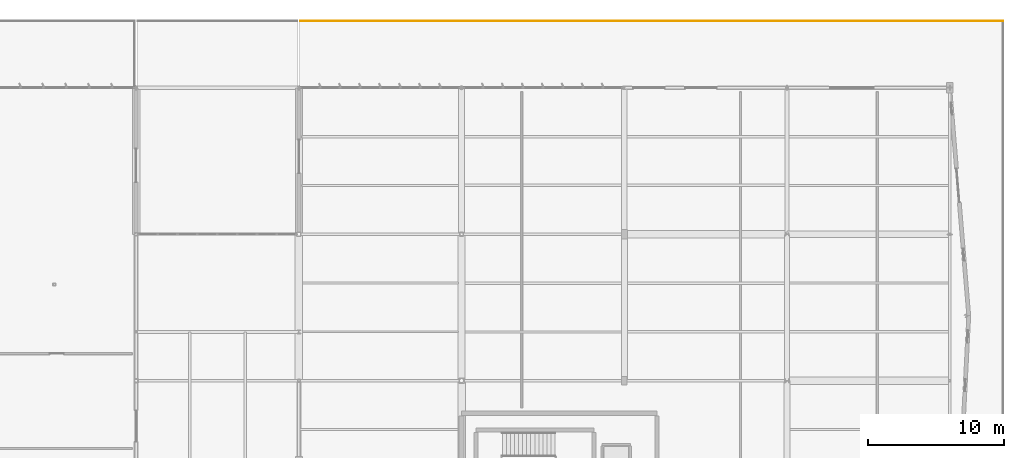
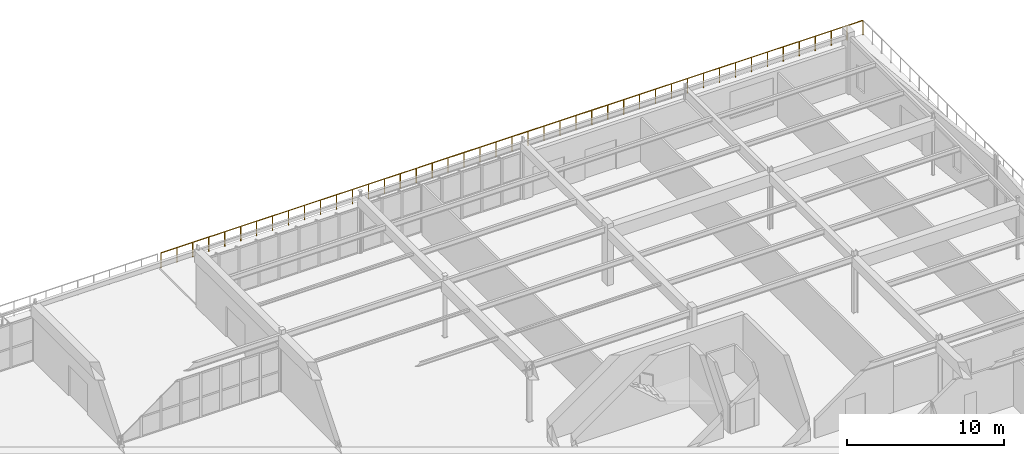
# One storey, part 198 of 199: 1 railing.
"""IFC4 building model written with IfcOpenShell, lengths in metres."""

from ifc_helpers import new_model, si_unit, direction, frame, origin, origin_2d, place, context, subcontext, project, spatial, circle, extrude, material, type_object, element, save


model = new_model("IFC4")

# Units and contexts
model_context = context("Model", 3, precision=1e-05, world=origin(), true_north=direction((0.0, 1.0)))
body_context = subcontext(model_context, "Body", "Model", "MODEL_VIEW")
ifc_project = project(units=[si_unit("LENGTHUNIT", "METRE"), si_unit("AREAUNIT", "SQUARE_METRE"), si_unit("VOLUMEUNIT", "CUBIC_METRE"), si_unit("PLANEANGLEUNIT", "RADIAN"), si_unit("MASSUNIT", "GRAM", prefix="KILO")], contexts=[model_context])

# Site, building, storey
site_placement = place(None, origin())
site = spatial("IfcSite", under=ifc_project, at=site_placement, CompositionType="ELEMENT")
building_placement = place(site_placement, origin())
building = spatial("IfcBuilding", under=site, at=building_placement, Name="Tarnwether General Hospital", CompositionType="ELEMENT")
storey_placement = place(building_placement, origin())
storey = spatial("IfcBuildingStorey", under=building, at=storey_placement, Name="L00", CompositionType="ELEMENT", Elevation=0.0)

# Railing
ifc_material = material(Name="Anodised aluminium", Category="aluminium")
railing_type = type_object("IfcRailingType", Name="RL-GRD-EXT", PredefinedType="GUARDRAIL", material=ifc_material)
railing_placement = place(storey_placement, frame((144.1298828125, 130.919921875, 0.0)))
element("IfcRailing", 1, at=railing_placement, inside=storey, type_object=railing_type, Name="L00 Upper Scarp Arrival Plaza and Street Terrace SL-L00-PLAZA Guard 0003", PredefinedType="GUARDRAIL", context=body_context, shape_type="SweptSolid", body=[
    extrude(circle(Radius=0.02392578125, at=origin_2d()), frame((0.0, 0.0, 1.1259765625), z_axis=(1.0, 0.0, 0.0), x_axis=(0.0, 1.0, 0.0)), (0.0, 0.0, 1.0), 51.7900390625),
    extrude(circle(Radius=0.02099609375, at=origin_2d()), origin(), (0.0, 0.0, 1.0), 1.101806640625),
    extrude(circle(Radius=0.02099609375, at=origin_2d()), frame((1.177001953125, 0.0, 0.0)), (0.0, 0.0, 1.0), 1.101806640625),
    extrude(circle(Radius=0.02099609375, at=origin_2d()), frame((2.35400390625, 0.0, 0.0)), (0.0, 0.0, 1.0), 1.101806640625),
    extrude(circle(Radius=0.02099609375, at=origin_2d()), frame((3.53125, 0.0, 0.0)), (0.0, 0.0, 1.0), 1.101806640625),
    extrude(circle(Radius=0.02099609375, at=origin_2d()), frame((4.708251953125, 0.0, 0.0)), (0.0, 0.0, 1.0), 1.101806640625),
    extrude(circle(Radius=0.02099609375, at=origin_2d()), frame((5.88525390625, 0.0, 0.0)), (0.0, 0.0, 1.0), 1.101806640625),
    extrude(circle(Radius=0.02099609375, at=origin_2d()), frame((7.062255859375, 0.0, 0.0)), (0.0, 0.0, 1.0), 1.101806640625),
    extrude(circle(Radius=0.02099609375, at=origin_2d()), frame((8.2392578125, 0.0, 0.0)), (0.0, 0.0, 1.0), 1.101806640625),
    extrude(circle(Radius=0.02099609375, at=origin_2d()), frame((9.416259765625, 0.0, 0.0)), (0.0, 0.0, 1.0), 1.101806640625),
    extrude(circle(Radius=0.02099609375, at=origin_2d()), frame((10.593505859375, 0.0, 0.0)), (0.0, 0.0, 1.0), 1.101806640625),
    extrude(circle(Radius=0.02099609375, at=origin_2d()), frame((11.7705078125, 0.0, 0.0)), (0.0, 0.0, 1.0), 1.101806640625),
    extrude(circle(Radius=0.02099609375, at=origin_2d()), frame((12.947509765625, 0.0, 0.0)), (0.0, 0.0, 1.0), 1.101806640625),
    extrude(circle(Radius=0.02099609375, at=origin_2d()), frame((14.12451171875, 0.0, 0.0)), (0.0, 0.0, 1.0), 1.101806640625),
    extrude(circle(Radius=0.02099609375, at=origin_2d()), frame((15.301513671875, 0.0, 0.0)), (0.0, 0.0, 1.0), 1.101806640625),
    extrude(circle(Radius=0.02099609375, at=origin_2d()), frame((16.478759765625, 0.0, 0.0)), (0.0, 0.0, 1.0), 1.101806640625),
    extrude(circle(Radius=0.02099609375, at=origin_2d()), frame((17.65576171875, 0.0, 0.0)), (0.0, 0.0, 1.0), 1.101806640625),
    extrude(circle(Radius=0.02099609375, at=origin_2d()), frame((18.832763671875, 0.0, 0.0)), (0.0, 0.0, 1.0), 1.101806640625),
    extrude(circle(Radius=0.02099609375, at=origin_2d()), frame((20.009765625, 0.0, 0.0)), (0.0, 0.0, 1.0), 1.101806640625),
    extrude(circle(Radius=0.02099609375, at=origin_2d()), frame((21.186767578125, 0.0, 0.0)), (0.0, 0.0, 1.0), 1.101806640625),
    extrude(circle(Radius=0.02099609375, at=origin_2d()), frame((22.36376953125, 0.0, 0.0)), (0.0, 0.0, 1.0), 1.101806640625),
    extrude(circle(Radius=0.02099609375, at=origin_2d()), frame((23.541015625, 0.0, 0.0)), (0.0, 0.0, 1.0), 1.101806640625),
    extrude(circle(Radius=0.02099609375, at=origin_2d()), frame((24.718017578125, 0.0, 0.0)), (0.0, 0.0, 1.0), 1.101806640625),
    extrude(circle(Radius=0.02099609375, at=origin_2d()), frame((25.89501953125, 0.0, 0.0)), (0.0, 0.0, 1.0), 1.101806640625),
    extrude(circle(Radius=0.02099609375, at=origin_2d()), frame((27.072021484375, 0.0, 0.0)), (0.0, 0.0, 1.0), 1.101806640625),
    extrude(circle(Radius=0.02099609375, at=origin_2d()), frame((28.2490234375, 0.0, 0.0)), (0.0, 0.0, 1.0), 1.101806640625),
    extrude(circle(Radius=0.02099609375, at=origin_2d()), frame((29.42626953125, 0.0, 0.0)), (0.0, 0.0, 1.0), 1.101806640625),
    extrude(circle(Radius=0.02099609375, at=origin_2d()), frame((30.603271484375, 0.0, 0.0)), (0.0, 0.0, 1.0), 1.101806640625),
    extrude(circle(Radius=0.02099609375, at=origin_2d()), frame((31.7802734375, 0.0, 0.0)), (0.0, 0.0, 1.0), 1.101806640625),
    extrude(circle(Radius=0.02099609375, at=origin_2d()), frame((32.957275390625, 0.0, 0.0)), (0.0, 0.0, 1.0), 1.101806640625),
    extrude(circle(Radius=0.02099609375, at=origin_2d()), frame((34.13427734375, 0.0, 0.0)), (0.0, 0.0, 1.0), 1.101806640625),
    extrude(circle(Radius=0.02099609375, at=origin_2d()), frame((35.311279296875, 0.0, 0.0)), (0.0, 0.0, 1.0), 1.101806640625),
    extrude(circle(Radius=0.02099609375, at=origin_2d()), frame((36.488525390625, 0.0, 0.0)), (0.0, 0.0, 1.0), 1.101806640625),
    extrude(circle(Radius=0.02099609375, at=origin_2d()), frame((37.66552734375, 0.0, 0.0)), (0.0, 0.0, 1.0), 1.101806640625),
    extrude(circle(Radius=0.02099609375, at=origin_2d()), frame((38.842529296875, 0.0, 0.0)), (0.0, 0.0, 1.0), 1.101806640625),
    extrude(circle(Radius=0.02099609375, at=origin_2d()), frame((40.01953125, 0.0, 0.0)), (0.0, 0.0, 1.0), 1.101806640625),
    extrude(circle(Radius=0.02099609375, at=origin_2d()), frame((41.196533203125, 0.0, 0.0)), (0.0, 0.0, 1.0), 1.101806640625),
    extrude(circle(Radius=0.02099609375, at=origin_2d()), frame((42.373779296875, 0.0, 0.0)), (0.0, 0.0, 1.0), 1.101806640625),
    extrude(circle(Radius=0.02099609375, at=origin_2d()), frame((43.55078125, 0.0, 0.0)), (0.0, 0.0, 1.0), 1.101806640625),
    extrude(circle(Radius=0.02099609375, at=origin_2d()), frame((44.727783203125, 0.0, 0.0)), (0.0, 0.0, 1.0), 1.101806640625),
    extrude(circle(Radius=0.02099609375, at=origin_2d()), frame((45.90478515625, 0.0, 0.0)), (0.0, 0.0, 1.0), 1.101806640625),
    extrude(circle(Radius=0.02099609375, at=origin_2d()), frame((47.081787109375, 0.0, 0.0)), (0.0, 0.0, 1.0), 1.101806640625),
    extrude(circle(Radius=0.02099609375, at=origin_2d()), frame((48.2587890625, 0.0, 0.0)), (0.0, 0.0, 1.0), 1.101806640625),
    extrude(circle(Radius=0.02099609375, at=origin_2d()), frame((49.43603515625, 0.0, 0.0)), (0.0, 0.0, 1.0), 1.101806640625),
    extrude(circle(Radius=0.02099609375, at=origin_2d()), frame((50.613037109375, 0.0, 0.0)), (0.0, 0.0, 1.0), 1.101806640625),
    extrude(circle(Radius=0.02099609375, at=origin_2d()), frame((51.7900390625, 0.0, 0.0)), (0.0, 0.0, 1.0), 1.101806640625),
])

save(model, "model.ifc")
